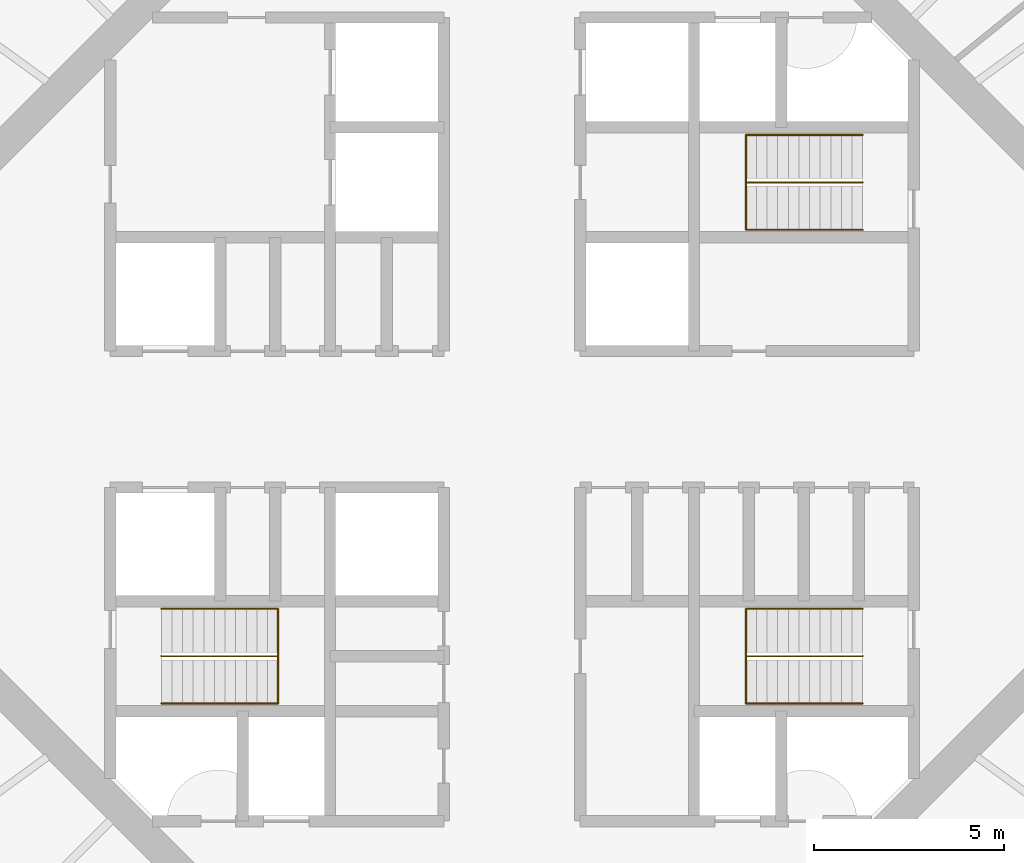
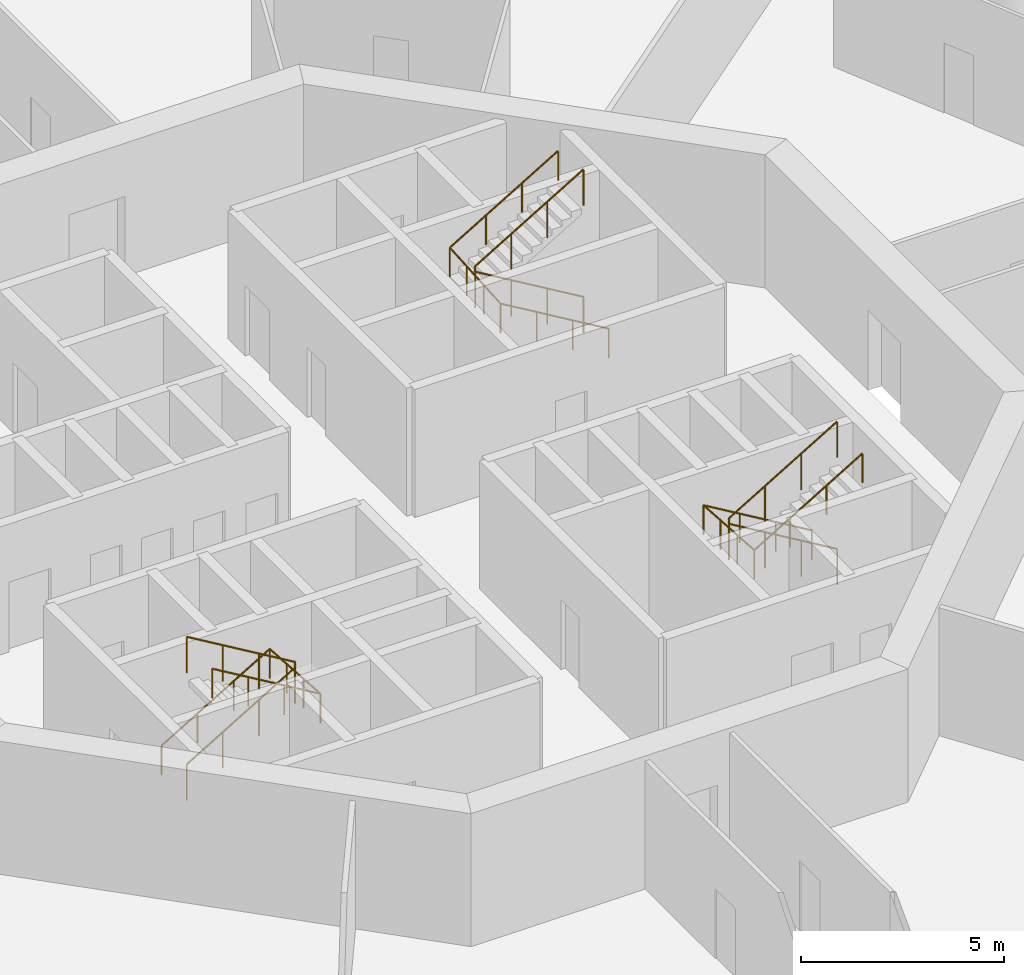
# One storey, part 13 of 13: 6 railings.
"""IFC4 building model written with IfcOpenShell, lengths in metres."""

from ifc_helpers import new_model, si_unit, direction, frame, origin, origin_2d, place, context, subcontext, project, spatial, circle, extrude, material, type_object, element, save


model = new_model("IFC4")

# Units and contexts
model_context = context("Model", 3, precision=1e-05, world=origin(), true_north=direction((0.0, 1.0)))
body_context = subcontext(model_context, "Body", "Model", "MODEL_VIEW")
ifc_project = project(units=[si_unit("LENGTHUNIT", "METRE"), si_unit("AREAUNIT", "SQUARE_METRE"), si_unit("VOLUMEUNIT", "CUBIC_METRE"), si_unit("PLANEANGLEUNIT", "RADIAN"), si_unit("MASSUNIT", "GRAM", prefix="KILO")], contexts=[model_context])

# Site, building, storey
site_placement = place(None, origin())
site = spatial("IfcSite", under=ifc_project, at=site_placement, CompositionType="ELEMENT")
building_placement = place(site_placement, origin())
building = spatial("IfcBuilding", under=site, at=building_placement, Name="Entoto Ring Tower", CompositionType="ELEMENT")
storey_placement = place(building_placement, frame((0.0, 0.0, 314.0)))
storey = spatial("IfcBuildingStorey", under=building, at=storey_placement, Name="L72", CompositionType="ELEMENT", Elevation=314.0)

# Railings
ifc_material_1 = material(Name="Steel S275", Category="steel")
railing_type_1 = type_object("IfcRailingType", Name="Stair guard 1100 mm steel", PredefinedType="GUARDRAIL", material=ifc_material_1)
railing_1_placement = place(storey_placement, frame((99.25, 86.25, 0.166748046875)))
element("IfcRailing", 1, at=railing_1_placement, inside=storey, type_object=railing_type_1, Name="Guard ST1", PredefinedType="GUARDRAIL", context=body_context, shape_type="SweptSolid", body=[
    extrude(circle(Radius=0.02392578125, at=origin_2d()), frame((0.0, 0.0, 1.076171875), z_axis=(-0.859308565015, 0.0, 0.511457515432), x_axis=(0.0, -1.0, 0.0)), (0.0, 0.0, 1.0), 3.58447265625),
    extrude(circle(Radius=0.02392578125, at=origin_2d()), frame((-3.080078125, 0.0, 2.9091796875), z_axis=(0.0, 0.0, 1.0), x_axis=(1.0, 0.0, 0.0)), (0.0, 0.0, 1.0), 0.166748046875),
    extrude(circle(Radius=0.02392578125, at=origin_2d()), frame((-3.080078125, 0.0, 3.076171875), z_axis=(0.859308565015, 0.0, 0.511457515432), x_axis=(0.0, 1.0, 0.0)), (0.0, 0.0, 1.0), 3.58447265625),
    extrude(circle(Radius=0.02099609375, at=origin_2d()), origin(), (0.0, 0.0, 1.0), 1.052001953125),
    extrude(circle(Radius=0.02099609375, at=origin_2d()), frame((-1.026611328125, 0.0, 0.611083984375)), (0.0, 0.0, 1.0), 1.052001953125),
    extrude(circle(Radius=0.02099609375, at=origin_2d()), frame((-2.053466796875, 0.0, 1.22216796875)), (0.0, 0.0, 1.0), 1.052001953125),
    extrude(circle(Radius=0.02099609375, at=origin_2d()), frame((-3.080078125, 0.0, 1.833251953125)), (0.0, 0.0, 1.0), 1.052001953125),
    extrude(circle(Radius=0.02099609375, at=origin_2d()), frame((-3.080078125, 0.0, 2.0)), (0.0, 0.0, 1.0), 1.052001953125),
    extrude(circle(Radius=0.02099609375, at=origin_2d()), frame((-2.053466796875, 0.0, 2.611083984375)), (0.0, 0.0, 1.0), 1.052001953125),
    extrude(circle(Radius=0.02099609375, at=origin_2d()), frame((-1.026611328125, 0.0, 3.22216796875)), (0.0, 0.0, 1.0), 1.052001953125),
    extrude(circle(Radius=0.02099609375, at=origin_2d()), frame((0.0, 0.0, 3.833251953125)), (0.0, 0.0, 1.0), 1.052001953125),
])
railing_2_placement = place(storey_placement, frame((80.75, 73.75, 0.166748046875)))
element("IfcRailing", 2, at=railing_2_placement, inside=storey, type_object=railing_type_1, Name="Guard ST2", PredefinedType="GUARDRAIL", context=body_context, shape_type="SweptSolid", body=[
    extrude(circle(Radius=0.02392578125, at=origin_2d()), frame((0.0, 0.0, 1.076171875), z_axis=(0.859308565015, 0.0, 0.511457515432), x_axis=(0.0, 1.0, 0.0)), (0.0, 0.0, 1.0), 3.58447265625),
    extrude(circle(Radius=0.02392578125, at=origin_2d()), frame((3.080078125, 0.0, 2.9091796875), z_axis=(0.0, 0.0, 1.0), x_axis=(1.0, 0.0, 0.0)), (0.0, 0.0, 1.0), 0.166748046875),
    extrude(circle(Radius=0.02392578125, at=origin_2d()), frame((3.080078125, 0.0, 3.076171875), z_axis=(-0.859308565015, 0.0, 0.511457515432), x_axis=(0.0, -1.0, 0.0)), (0.0, 0.0, 1.0), 3.58447265625),
    extrude(circle(Radius=0.02099609375, at=origin_2d()), origin(), (0.0, 0.0, 1.0), 1.052001953125),
    extrude(circle(Radius=0.02099609375, at=origin_2d()), frame((1.026611328125, 0.0, 0.611083984375)), (0.0, 0.0, 1.0), 1.052001953125),
    extrude(circle(Radius=0.02099609375, at=origin_2d()), frame((2.053466796875, 0.0, 1.22216796875)), (0.0, 0.0, 1.0), 1.052001953125),
    extrude(circle(Radius=0.02099609375, at=origin_2d()), frame((3.080078125, 0.0, 1.833251953125)), (0.0, 0.0, 1.0), 1.052001953125),
    extrude(circle(Radius=0.02099609375, at=origin_2d()), frame((3.080078125, 0.0, 2.0)), (0.0, 0.0, 1.0), 1.052001953125),
    extrude(circle(Radius=0.02099609375, at=origin_2d()), frame((2.053466796875, 0.0, 2.611083984375)), (0.0, 0.0, 1.0), 1.052001953125),
    extrude(circle(Radius=0.02099609375, at=origin_2d()), frame((1.026611328125, 0.0, 3.22216796875)), (0.0, 0.0, 1.0), 1.052001953125),
    extrude(circle(Radius=0.02099609375, at=origin_2d()), frame((0.0, 0.0, 3.833251953125)), (0.0, 0.0, 1.0), 1.052001953125),
])
railing_3_placement = place(storey_placement, frame((99.25, 73.75, 0.166748046875)))
element("IfcRailing", 3, at=railing_3_placement, inside=storey, type_object=railing_type_1, Name="Guard ST3", PredefinedType="GUARDRAIL", context=body_context, shape_type="SweptSolid", body=[
    extrude(circle(Radius=0.02392578125, at=origin_2d()), frame((0.0, 0.0, 1.076171875), z_axis=(-0.859308565015, 0.0, 0.511457515432), x_axis=(0.0, -1.0, 0.0)), (0.0, 0.0, 1.0), 3.58447265625),
    extrude(circle(Radius=0.02392578125, at=origin_2d()), frame((-3.080078125, 0.0, 2.9091796875), z_axis=(0.0, 0.0, 1.0), x_axis=(1.0, 0.0, 0.0)), (0.0, 0.0, 1.0), 0.166748046875),
    extrude(circle(Radius=0.02392578125, at=origin_2d()), frame((-3.080078125, 0.0, 3.076171875), z_axis=(0.859308565015, 0.0, 0.511457515432), x_axis=(0.0, 1.0, 0.0)), (0.0, 0.0, 1.0), 3.58447265625),
    extrude(circle(Radius=0.02099609375, at=origin_2d()), origin(), (0.0, 0.0, 1.0), 1.052001953125),
    extrude(circle(Radius=0.02099609375, at=origin_2d()), frame((-1.026611328125, 0.0, 0.611083984375)), (0.0, 0.0, 1.0), 1.052001953125),
    extrude(circle(Radius=0.02099609375, at=origin_2d()), frame((-2.053466796875, 0.0, 1.22216796875)), (0.0, 0.0, 1.0), 1.052001953125),
    extrude(circle(Radius=0.02099609375, at=origin_2d()), frame((-3.080078125, 0.0, 1.833251953125)), (0.0, 0.0, 1.0), 1.052001953125),
    extrude(circle(Radius=0.02099609375, at=origin_2d()), frame((-3.080078125, 0.0, 2.0)), (0.0, 0.0, 1.0), 1.052001953125),
    extrude(circle(Radius=0.02099609375, at=origin_2d()), frame((-2.053466796875, 0.0, 2.611083984375)), (0.0, 0.0, 1.0), 1.052001953125),
    extrude(circle(Radius=0.02099609375, at=origin_2d()), frame((-1.026611328125, 0.0, 3.22216796875)), (0.0, 0.0, 1.0), 1.052001953125),
    extrude(circle(Radius=0.02099609375, at=origin_2d()), frame((0.0, 0.0, 3.833251953125)), (0.0, 0.0, 1.0), 1.052001953125),
])
ifc_material_2 = material(Name="Steel S275", Category="steel")
railing_type_2 = type_object("IfcRailingType", Name="Stair handrail 900 mm steel", PredefinedType="HANDRAIL", material=ifc_material_2)
railing_4_placement = place(storey_placement, frame((99.25, 85.0, 0.166748046875)))
element("IfcRailing", 4, at=railing_4_placement, inside=storey, type_object=railing_type_2, Name="Handrail ST1", PredefinedType="HANDRAIL", context=body_context, shape_type="SweptSolid", body=[
    extrude(circle(Radius=0.02392578125, at=origin_2d()), frame((0.0, 0.0, 0.8759765625), z_axis=(-0.859308565015, 0.0, 0.511457515432), x_axis=(0.0, -1.0, 0.0)), (0.0, 0.0, 1.0), 3.58447265625),
    extrude(circle(Radius=0.02392578125, at=origin_2d()), frame((-3.080078125, 0.0, 2.708984375), z_axis=(0.0, 0.997783001586, 0.066551346688), x_axis=(-1.0, 0.0, 0.0)), (0.0, 0.0, 1.0), 2.505615234375),
    extrude(circle(Radius=0.02392578125, at=origin_2d()), frame((-3.080078125, 2.5, 2.8759765625), z_axis=(0.859308565015, 0.0, 0.511457515432), x_axis=(0.0, 1.0, 0.0)), (0.0, 0.0, 1.0), 3.58447265625),
    extrude(circle(Radius=0.02099609375, at=origin_2d()), origin(), (0.0, 0.0, 1.0), 0.851806640625),
    extrude(circle(Radius=0.02099609375, at=origin_2d()), frame((-1.026611328125, 0.0, 0.611083984375)), (0.0, 0.0, 1.0), 0.851806640625),
    extrude(circle(Radius=0.02099609375, at=origin_2d()), frame((-2.053466796875, 0.0, 1.22216796875)), (0.0, 0.0, 1.0), 0.851806640625),
    extrude(circle(Radius=0.02099609375, at=origin_2d()), frame((-3.080078125, 0.0, 1.833251953125)), (0.0, 0.0, 1.0), 0.851806640625),
    extrude(circle(Radius=0.02099609375, at=origin_2d()), frame((-3.080078125, 0.833251953125, 1.888916015625)), (0.0, 0.0, 1.0), 0.851806640625),
    extrude(circle(Radius=0.02099609375, at=origin_2d()), frame((-3.080078125, 1.666748046875, 1.9443359375)), (0.0, 0.0, 1.0), 0.851806640625),
    extrude(circle(Radius=0.02099609375, at=origin_2d()), frame((-3.080078125, 2.5, 2.0)), (0.0, 0.0, 1.0), 0.851806640625),
    extrude(circle(Radius=0.02099609375, at=origin_2d()), frame((-2.053466796875, 2.5, 2.611083984375)), (0.0, 0.0, 1.0), 0.851806640625),
    extrude(circle(Radius=0.02099609375, at=origin_2d()), frame((-1.026611328125, 2.5, 3.22216796875)), (0.0, 0.0, 1.0), 0.851806640625),
    extrude(circle(Radius=0.02099609375, at=origin_2d()), frame((0.0, 2.5, 3.833251953125)), (0.0, 0.0, 1.0), 0.851806640625),
])
railing_5_placement = place(storey_placement, frame((80.75, 75.0, 0.166748046875)))
element("IfcRailing", 5, at=railing_5_placement, inside=storey, type_object=railing_type_2, Name="Handrail ST2", PredefinedType="HANDRAIL", context=body_context, shape_type="SweptSolid", body=[
    extrude(circle(Radius=0.02392578125, at=origin_2d()), frame((0.0, 0.0, 0.8759765625), z_axis=(0.859308565015, 0.0, 0.511457515432), x_axis=(0.0, 1.0, 0.0)), (0.0, 0.0, 1.0), 3.58447265625),
    extrude(circle(Radius=0.02392578125, at=origin_2d()), frame((3.080078125, 0.0, 2.708984375), z_axis=(0.0, -0.997783001586, 0.066551346688), x_axis=(1.0, 0.0, 0.0)), (0.0, 0.0, 1.0), 2.505615234375),
    extrude(circle(Radius=0.02392578125, at=origin_2d()), frame((3.080078125, -2.5, 2.8759765625), z_axis=(-0.859308565015, 0.0, 0.511457515432), x_axis=(0.0, -1.0, 0.0)), (0.0, 0.0, 1.0), 3.58447265625),
    extrude(circle(Radius=0.02099609375, at=origin_2d()), origin(), (0.0, 0.0, 1.0), 0.851806640625),
    extrude(circle(Radius=0.02099609375, at=origin_2d()), frame((1.026611328125, 0.0, 0.611083984375)), (0.0, 0.0, 1.0), 0.851806640625),
    extrude(circle(Radius=0.02099609375, at=origin_2d()), frame((2.053466796875, 0.0, 1.22216796875)), (0.0, 0.0, 1.0), 0.851806640625),
    extrude(circle(Radius=0.02099609375, at=origin_2d()), frame((3.080078125, 0.0, 1.833251953125)), (0.0, 0.0, 1.0), 0.851806640625),
    extrude(circle(Radius=0.02099609375, at=origin_2d()), frame((3.080078125, -0.833251953125, 1.888916015625)), (0.0, 0.0, 1.0), 0.851806640625),
    extrude(circle(Radius=0.02099609375, at=origin_2d()), frame((3.080078125, -1.666748046875, 1.9443359375)), (0.0, 0.0, 1.0), 0.851806640625),
    extrude(circle(Radius=0.02099609375, at=origin_2d()), frame((3.080078125, -2.5, 2.0)), (0.0, 0.0, 1.0), 0.851806640625),
    extrude(circle(Radius=0.02099609375, at=origin_2d()), frame((2.053466796875, -2.5, 2.611083984375)), (0.0, 0.0, 1.0), 0.851806640625),
    extrude(circle(Radius=0.02099609375, at=origin_2d()), frame((1.026611328125, -2.5, 3.22216796875)), (0.0, 0.0, 1.0), 0.851806640625),
    extrude(circle(Radius=0.02099609375, at=origin_2d()), frame((0.0, -2.5, 3.833251953125)), (0.0, 0.0, 1.0), 0.851806640625),
])
railing_6_placement = place(storey_placement, frame((99.25, 75.0, 0.166748046875)))
element("IfcRailing", 6, at=railing_6_placement, inside=storey, type_object=railing_type_2, Name="Handrail ST3", PredefinedType="HANDRAIL", context=body_context, shape_type="SweptSolid", body=[
    extrude(circle(Radius=0.02392578125, at=origin_2d()), frame((0.0, 0.0, 0.8759765625), z_axis=(-0.859308565015, 0.0, 0.511457515432), x_axis=(0.0, -1.0, 0.0)), (0.0, 0.0, 1.0), 3.58447265625),
    extrude(circle(Radius=0.02392578125, at=origin_2d()), frame((-3.080078125, 0.0, 2.708984375), z_axis=(0.0, -0.997783001586, 0.066551346688), x_axis=(1.0, 0.0, 0.0)), (0.0, 0.0, 1.0), 2.505615234375),
    extrude(circle(Radius=0.02392578125, at=origin_2d()), frame((-3.080078125, -2.5, 2.8759765625), z_axis=(0.859308565015, 0.0, 0.511457515432), x_axis=(0.0, 1.0, 0.0)), (0.0, 0.0, 1.0), 3.58447265625),
    extrude(circle(Radius=0.02099609375, at=origin_2d()), origin(), (0.0, 0.0, 1.0), 0.851806640625),
    extrude(circle(Radius=0.02099609375, at=origin_2d()), frame((-1.026611328125, 0.0, 0.611083984375)), (0.0, 0.0, 1.0), 0.851806640625),
    extrude(circle(Radius=0.02099609375, at=origin_2d()), frame((-2.053466796875, 0.0, 1.22216796875)), (0.0, 0.0, 1.0), 0.851806640625),
    extrude(circle(Radius=0.02099609375, at=origin_2d()), frame((-3.080078125, 0.0, 1.833251953125)), (0.0, 0.0, 1.0), 0.851806640625),
    extrude(circle(Radius=0.02099609375, at=origin_2d()), frame((-3.080078125, -0.833251953125, 1.888916015625)), (0.0, 0.0, 1.0), 0.851806640625),
    extrude(circle(Radius=0.02099609375, at=origin_2d()), frame((-3.080078125, -1.666748046875, 1.9443359375)), (0.0, 0.0, 1.0), 0.851806640625),
    extrude(circle(Radius=0.02099609375, at=origin_2d()), frame((-3.080078125, -2.5, 2.0)), (0.0, 0.0, 1.0), 0.851806640625),
    extrude(circle(Radius=0.02099609375, at=origin_2d()), frame((-2.053466796875, -2.5, 2.611083984375)), (0.0, 0.0, 1.0), 0.851806640625),
    extrude(circle(Radius=0.02099609375, at=origin_2d()), frame((-1.026611328125, -2.5, 3.22216796875)), (0.0, 0.0, 1.0), 0.851806640625),
    extrude(circle(Radius=0.02099609375, at=origin_2d()), frame((0.0, -2.5, 3.833251953125)), (0.0, 0.0, 1.0), 0.851806640625),
])

save(model, "model.ifc")
